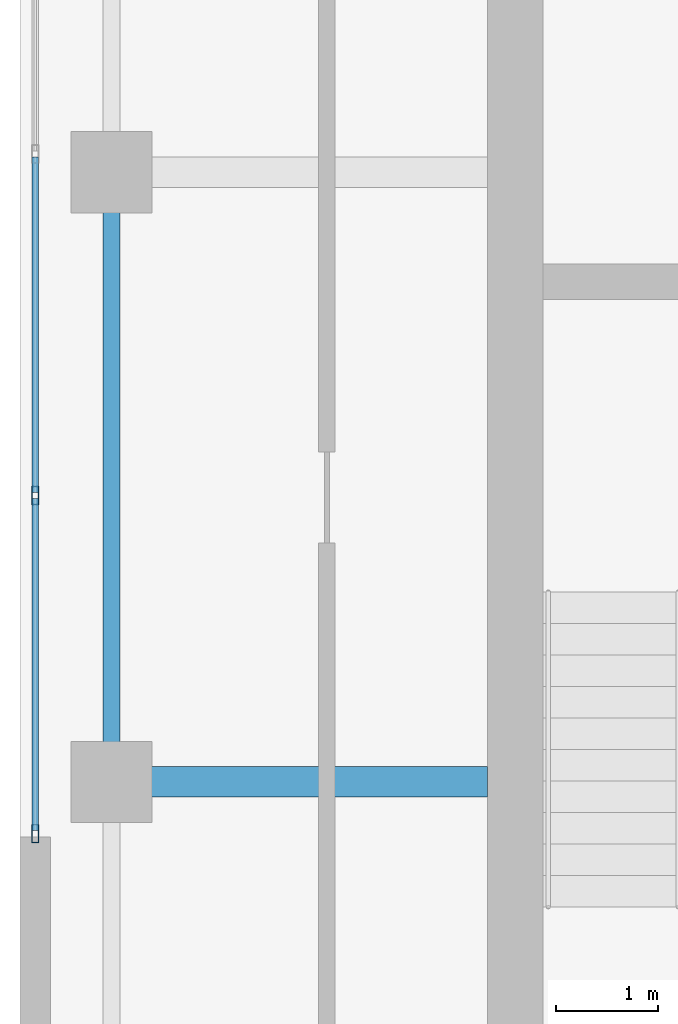
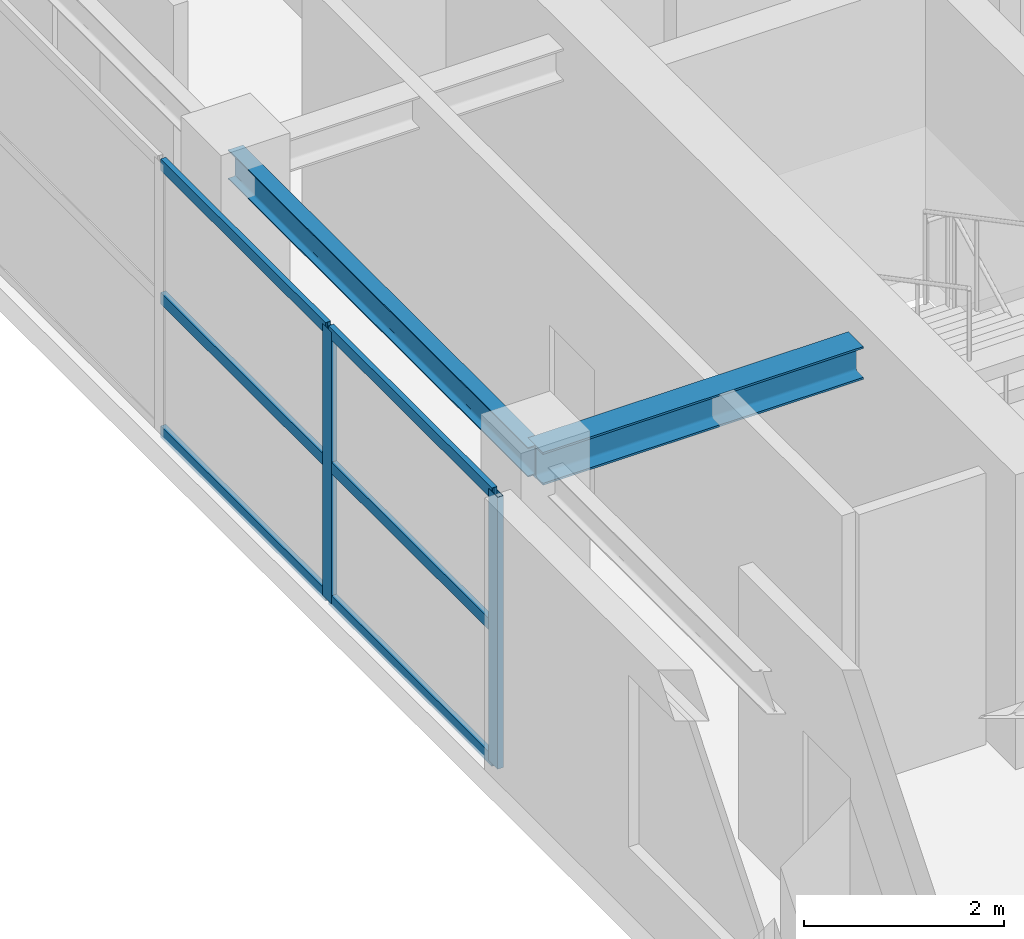
# One storey, part 2 of 14: 8 members, 2 beams, 1 element without a shape of its own.
"""IFC4 building model written with IfcOpenShell, lengths in metres."""

from ifc_helpers import new_model, si_unit, direction, frame, origin, origin_2d, place, context, subcontext, project, spatial, hollow_rectangle, i_section, extrude, source, transform, mapped, material, layer, layer_set, material_profile, profile_set, type_object, element, aggregate, save


model = new_model("IFC4")

# Units and contexts
model_context = context("Model", 3, precision=1e-05, world=origin(), true_north=direction((0.0, 1.0)))
body_context = subcontext(model_context, "Body", "Model", "MODEL_VIEW")
ifc_project = project(units=[si_unit("LENGTHUNIT", "METRE"), si_unit("AREAUNIT", "SQUARE_METRE"), si_unit("VOLUMEUNIT", "CUBIC_METRE"), si_unit("PLANEANGLEUNIT", "RADIAN"), si_unit("MASSUNIT", "GRAM", prefix="KILO")], contexts=[model_context])

# Site, building, storey
site_placement = place(None, origin())
site = spatial("IfcSite", under=ifc_project, at=site_placement, CompositionType="ELEMENT")
building_placement = place(site_placement, origin())
building = spatial("IfcBuilding", under=site, at=building_placement, Name="Khoralis Quay Care Tower", CompositionType="ELEMENT")
storey_placement = place(building_placement, frame((0.0, 0.0, 274.5)))
storey = spatial("IfcBuildingStorey", under=building, at=storey_placement, Name="L72", CompositionType="ELEMENT", Elevation=274.5)

# Beams
ifc_material_1 = material(Name="Steel S355", Category="steel")
ifc_material_profile_1 = material_profile(ifc_material_1, i_section(OverallWidth=0.169921875, OverallDepth=0.360107421875, WebThickness=0.008056640625, FlangeThickness=0.0126953125, FilletRadius=0.01806640625, at=origin_2d()), Name="Steel S355")
ifc_profile_set_1 = profile_set([ifc_material_profile_1], Name="Steel S355")
beam_type_1 = type_object("IfcBeamType", Name="BM-IPE360", PredefinedType="SPANDREL", material=ifc_profile_set_1)
shared_shape_1 = source(origin(), body_context, "Body", "SweptSolid", [
    extrude(i_section(OverallWidth=0.169921875, OverallDepth=0.360107421875, WebThickness=0.008056640625, FlangeThickness=0.0126953125, FilletRadius=0.01806640625, at=origin_2d()), origin(), (0.0, 0.0, 1.0), 6.0),
])
beam_1_placement = place(storey_placement, frame((3.89990234375, 18.0, 3.139892578125), z_axis=(0.0, 1.0, 0.0), x_axis=(-1.0, 0.0, 0.0)))
element("IfcBeam", 1, at=beam_1_placement, inside=storey, type_object=beam_type_1, Name="BM-TSP-L72-10", PredefinedType="SPANDREL", context=body_context, shape_type="MappedRepresentation", body=[
    mapped(shared_shape_1, transform((0.0, 0.0, 0.0), scale=1.0)),
])
ifc_material_profile_2 = material_profile(ifc_material_1, i_section(OverallWidth=0.300048828125, OverallDepth=0.39990234375, WebThickness=0.013427734375, FlangeThickness=0.02392578125, FilletRadius=0.027099609375, at=origin_2d()), Name="Steel S355")
ifc_profile_set_2 = profile_set([ifc_material_profile_2], Name="Steel S355")
beam_type_2 = type_object("IfcBeamType", Name="BM-HEB400", PredefinedType="BEAM", material=ifc_profile_set_2)
shared_shape_2 = source(origin(), body_context, "Body", "SweptSolid", [
    extrude(i_section(OverallWidth=0.300048828125, OverallDepth=0.39990234375, WebThickness=0.013427734375, FlangeThickness=0.02392578125, FilletRadius=0.027099609375, at=origin_2d()), origin(), (0.0, 0.0, 1.0), 3.7021484375),
])
beam_2_placement = place(storey_placement, frame((3.89990234375, 18.0, 3.1201171875), z_axis=(1.0, 0.0, 0.0), x_axis=(0.0, 1.0, 0.0)))
element("IfcBeam", 2, at=beam_2_placement, inside=storey, type_object=beam_type_2, Name="BM-TGXW-L72-180", PredefinedType="BEAM", context=body_context, shape_type="MappedRepresentation", body=[
    mapped(shared_shape_2, transform((0.0, 0.0, 0.0), scale=1.0)),
])

# Curtain wall, members
ifc_material_2 = material(Name="Pale anodised aluminium", Category="aluminium")
ifc_layer = layer(ifc_material_2, 0.159912109375)
ifc_layer_set = layer_set([ifc_layer], Name="Pale anodised aluminium")
curtain_wall_type = type_object("IfcCurtainWallType", Name="CW-SYS-Z3", PredefinedType="NOTDEFINED", material=ifc_layer_set)
curtain_wall_placement = place(storey_placement, origin())
curtain_wall = element("IfcCurtainWall", 3, at=curtain_wall_placement, inside=storey, type_object=curtain_wall_type, Name="L72 Unitised Curtain Wall CW-L72-P1-E15", PredefinedType="NOTDEFINED")
ifc_material_profile_3 = material_profile(ifc_material_2, hollow_rectangle(XDim=0.06494140625, YDim=0.179931640625, WallThickness=0.00390625, at=origin_2d()), Name="Pale anodised aluminium")
ifc_profile_set_3 = profile_set([ifc_material_profile_3], Name="Pale anodised aluminium")
member_type_1 = type_object("IfcMemberType", Name="CW-MUL-180", PredefinedType="MULLION", material=ifc_profile_set_3)
shared_shape_3 = source(origin(), body_context, "Body", "SweptSolid", [
    extrude(hollow_rectangle(XDim=0.06494140625, YDim=0.179931640625, WallThickness=0.00390625, at=origin_2d()), origin(), (0.0, 0.0, 1.0), 3.320068359375),
])
member_1_placement = place(storey_placement, frame((3.14990234375, 20.820068359375, 0.0), z_axis=(0.0, 0.0, 1.0), x_axis=(1.0, 0.0, 0.0)))
member_1 = element("IfcMember", 4, at=member_1_placement, type_object=member_type_1, Name="CW3 mullion 3", PredefinedType="MULLION", context=body_context, shape_type="MappedRepresentation", body=[
    mapped(shared_shape_3, transform((0.0, 0.0, 0.0), scale=1.0)),
])
member_2_placement = place(storey_placement, frame((3.14990234375, 17.489990234375, 0.0), z_axis=(0.0, 0.0, 1.0), x_axis=(1.0, 0.0, 0.0)))
member_2 = element("IfcMember", 5, at=member_2_placement, type_object=member_type_1, Name="CW3 mullion 4", PredefinedType="MULLION", context=body_context, shape_type="MappedRepresentation", body=[
    mapped(shared_shape_3, transform((0.0, 0.0, 0.0), scale=1.0)),
])
ifc_material_profile_4 = material_profile(ifc_material_2, hollow_rectangle(XDim=0.06005859375, YDim=0.139892578125, WallThickness=0.00390625, at=origin_2d()), Name="Pale anodised aluminium")
ifc_profile_set_4 = profile_set([ifc_material_profile_4], Name="Pale anodised aluminium")
member_type_2 = type_object("IfcMemberType", Name="CW-TRN-140", PredefinedType="USERDEFINED", material=ifc_profile_set_4)
shared_shape_4 = source(origin(), body_context, "Body", "SweptSolid", [
    extrude(hollow_rectangle(XDim=0.06005859375, YDim=0.139892578125, WallThickness=0.00390625, at=origin_2d()), origin(), (0.0, 0.0, 1.0), 3.27001953125),
])
member_3_placement = place(storey_placement, frame((3.14990234375, 20.7900390625, 0.030029296875), z_axis=(0.0, -1.0, 0.0), x_axis=(1.0, 0.0, 0.0)))
member_3 = element("IfcMember", 6, at=member_3_placement, type_object=member_type_2, Name="CW3 transom 3.1", ObjectType="TRANSOM", PredefinedType="USERDEFINED", context=body_context, shape_type="MappedRepresentation", body=[
    mapped(shared_shape_4, transform((0.0, 0.0, 0.0), scale=1.0)),
])
member_4_placement = place(storey_placement, frame((3.14990234375, 20.7900390625, 1.659912109375), z_axis=(0.0, -1.0, 0.0), x_axis=(1.0, 0.0, 0.0)))
member_4 = element("IfcMember", 7, at=member_4_placement, type_object=member_type_2, Name="CW3 transom 3.2", ObjectType="TRANSOM", PredefinedType="USERDEFINED", context=body_context, shape_type="MappedRepresentation", body=[
    mapped(shared_shape_4, transform((0.0, 0.0, 0.0), scale=1.0)),
])
member_5_placement = place(storey_placement, frame((3.14990234375, 20.7900390625, 3.2900390625), z_axis=(0.0, -1.0, 0.0), x_axis=(1.0, 0.0, 0.0)))
member_5 = element("IfcMember", 8, at=member_5_placement, type_object=member_type_2, Name="CW3 transom 3.3", ObjectType="TRANSOM", PredefinedType="USERDEFINED", context=body_context, shape_type="MappedRepresentation", body=[
    mapped(shared_shape_4, transform((0.0, 0.0, 0.0), scale=1.0)),
])
shared_shape_5 = source(origin(), body_context, "Body", "SweptSolid", [
    extrude(hollow_rectangle(XDim=0.06005859375, YDim=0.139892578125, WallThickness=0.00390625, at=origin_2d()), origin(), (0.0, 0.0, 1.0), 3.2998046875),
])
member_6_placement = place(storey_placement, frame((3.14990234375, 24.14990234375, 0.030029296875), z_axis=(0.0, -1.0, 0.0), x_axis=(1.0, 0.0, 0.0)))
member_6 = element("IfcMember", 9, at=member_6_placement, type_object=member_type_2, Name="CW3 transom 2.1", ObjectType="TRANSOM", PredefinedType="USERDEFINED", context=body_context, shape_type="MappedRepresentation", body=[
    mapped(shared_shape_5, transform((0.0, 0.0, 0.0), scale=1.0)),
])
member_7_placement = place(storey_placement, frame((3.14990234375, 24.14990234375, 1.659912109375), z_axis=(0.0, -1.0, 0.0), x_axis=(1.0, 0.0, 0.0)))
member_7 = element("IfcMember", 10, at=member_7_placement, type_object=member_type_2, Name="CW3 transom 2.2", ObjectType="TRANSOM", PredefinedType="USERDEFINED", context=body_context, shape_type="MappedRepresentation", body=[
    mapped(shared_shape_5, transform((0.0, 0.0, 0.0), scale=1.0)),
])
member_8_placement = place(storey_placement, frame((3.14990234375, 24.14990234375, 3.2900390625), z_axis=(0.0, -1.0, 0.0), x_axis=(1.0, 0.0, 0.0)))
member_8 = element("IfcMember", 11, at=member_8_placement, type_object=member_type_2, Name="CW3 transom 2.3", ObjectType="TRANSOM", PredefinedType="USERDEFINED", context=body_context, shape_type="MappedRepresentation", body=[
    mapped(shared_shape_5, transform((0.0, 0.0, 0.0), scale=1.0)),
])
aggregate(curtain_wall, [member_1, member_2, member_6, member_7, member_8, member_3, member_4, member_5])

save(model, "model.ifc")
